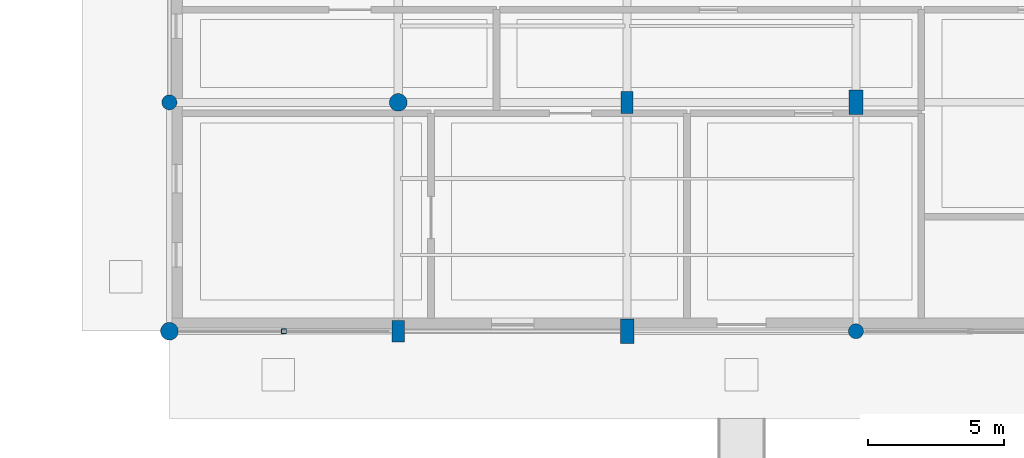
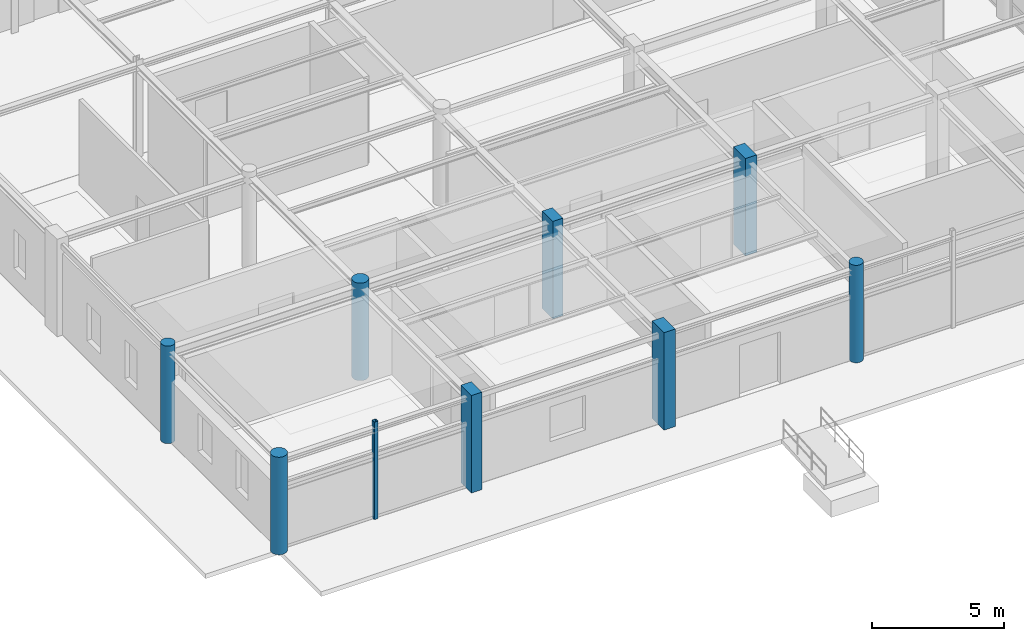
# One storey, part 2 of 101: 9 columns.
"""IFC4 building model written with IfcOpenShell, lengths in metres."""

from ifc_helpers import new_model, si_unit, derived_unit, direction, frame, origin, origin_2d, place, context, subcontext, project, spatial, rectangle, hollow_rectangle, circle, extrude, material, material_profile, profile_set, type_object, element, save


model = new_model("IFC4")

# Units and contexts
model_context = context("Model", 3, precision=1e-05, world=origin(), true_north=direction((0.0, 1.0)))
body_context = subcontext(model_context, "Body", "Model", "MODEL_VIEW")
ifc_project = project(units=[si_unit("LENGTHUNIT", "METRE"), si_unit("AREAUNIT", "SQUARE_METRE"), si_unit("VOLUMEUNIT", "CUBIC_METRE"), si_unit("PLANEANGLEUNIT", "RADIAN"), si_unit("MASSUNIT", "GRAM", prefix="KILO"), derived_unit("THERMALTRANSMITTANCEUNIT", [(si_unit("POWERUNIT", "WATT"), 1), (si_unit("AREAUNIT", "SQUARE_METRE"), -1), (si_unit("THERMODYNAMICTEMPERATUREUNIT", "KELVIN"), -1)])], contexts=[model_context])

# Site, building, storey
site_placement = place(None, origin())
site = spatial("IfcSite", under=ifc_project, at=site_placement, CompositionType="ELEMENT")
building_placement = place(site_placement, origin())
building = spatial("IfcBuilding", under=site, at=building_placement, Name="Yasenodar Specialist Clinic", CompositionType="ELEMENT")
storey_placement = place(building_placement, origin())
storey = spatial("IfcBuildingStorey", under=building, at=storey_placement, Name="L00", CompositionType="ELEMENT", Elevation=0.0)

# Columns
ifc_material_1 = material(Name="Concrete C35/45", Category="concrete")
ifc_material_profile_1 = material_profile(ifc_material_1, rectangle(XDim=0.449951171875, YDim=0.800048828125, at=origin_2d()), Name="RC 450x800")
ifc_profile_set_1 = profile_set([ifc_material_profile_1], Name="Concrete C35/45")
column_type_1 = type_object("IfcColumnType", Name="COL-RC-450x800", PredefinedType="COLUMN", material=ifc_profile_set_1)
for number, where, z_axis, x_axis, name in (
    (1, (8.39990234375, 0.0, 0.0), (0.0, 0.0, 1.0), (1.0, 0.0, 0.0), "L00 Column V2-016"),
    (2, (16.800048828125, 8.39990234375, 0.0), (0.0, 0.0, 1.0), (1.0, 0.0, 0.0), "L00 Column V2-032"),
):
    element("IfcColumn", number, at=place(storey_placement, frame(where, z_axis=z_axis, x_axis=x_axis)), inside=storey, type_object=column_type_1, Name=name, PredefinedType="COLUMN", context=body_context, shape_type="SweptSolid", body=[
        extrude(rectangle(XDim=0.449951171875, YDim=0.800048828125, at=origin_2d()), origin(), (0.0, 0.0, 1.0), 4.5),
    ])
ifc_material_profile_2 = material_profile(ifc_material_1, rectangle(XDim=0.5, YDim=0.89990234375, at=origin_2d()), Name="RC 500x900")
ifc_profile_set_2 = profile_set([ifc_material_profile_2], Name="Concrete C35/45")
column_type_2 = type_object("IfcColumnType", Name="COL-RC-500x900", PredefinedType="COLUMN", material=ifc_profile_set_2)
for number, where, z_axis, x_axis, name in (
    (3, (16.800048828125, 0.0, 0.0), (0.0, 0.0, 1.0), (1.0, 0.0, 0.0), "L00 Column V2-031"),
    (4, (25.199951171875, 8.39990234375, 0.0), (0.0, 0.0, 1.0), (1.0, 0.0, 0.0), "L00 Column V2-047"),
):
    element("IfcColumn", number, at=place(storey_placement, frame(where, z_axis=z_axis, x_axis=x_axis)), inside=storey, type_object=column_type_2, Name=name, PredefinedType="COLUMN", context=body_context, shape_type="SweptSolid", body=[
        extrude(rectangle(XDim=0.5, YDim=0.89990234375, at=origin_2d()), origin(), (0.0, 0.0, 1.0), 4.5),
    ])
ifc_material_profile_3 = material_profile(ifc_material_1, circle(Radius=0.27490234375, at=origin_2d()), Name="RC D550")
ifc_profile_set_3 = profile_set([ifc_material_profile_3], Name="Concrete C35/45")
column_type_3 = type_object("IfcColumnType", Name="COL-RC-D550", PredefinedType="COLUMN", material=ifc_profile_set_3)
for number, where, z_axis, x_axis, name in (
    (5, (0.0, 8.39990234375, 0.0), (0.0, 0.0, 1.0), (1.0, 0.0, 0.0), "L00 Column V2-002"),
    (6, (25.199951171875, 0.0, 0.0), (0.0, 0.0, 1.0), (1.0, 0.0, 0.0), "L00 Column V2-046"),
):
    element("IfcColumn", number, at=place(storey_placement, frame(where, z_axis=z_axis, x_axis=x_axis)), inside=storey, type_object=column_type_3, Name=name, PredefinedType="COLUMN", context=body_context, shape_type="SweptSolid", body=[
        extrude(circle(Radius=0.27490234375, at=origin_2d()), origin(), (0.0, 0.0, 1.0), 4.5),
    ])
ifc_material_profile_4 = material_profile(ifc_material_1, circle(Radius=0.324951171875, at=origin_2d()), Name="RC D650")
ifc_profile_set_4 = profile_set([ifc_material_profile_4], Name="Concrete C35/45")
column_type_4 = type_object("IfcColumnType", Name="COL-RC-D650", PredefinedType="COLUMN", material=ifc_profile_set_4)
for number, where, z_axis, x_axis, name in (
    (7, (0.0, 0.0, 0.0), (0.0, 0.0, 1.0), (1.0, 0.0, 0.0), "L00 Column V2-001"),
    (8, (8.39990234375, 8.39990234375, 0.0), (0.0, 0.0, 1.0), (1.0, 0.0, 0.0), "L00 Column V2-017"),
):
    element("IfcColumn", number, at=place(storey_placement, frame(where, z_axis=z_axis, x_axis=x_axis)), inside=storey, type_object=column_type_4, Name=name, PredefinedType="COLUMN", context=body_context, shape_type="SweptSolid", body=[
        extrude(circle(Radius=0.324951171875, at=origin_2d()), origin(), (0.0, 0.0, 1.0), 4.5),
    ])
ifc_material_2 = material(Name="Steel S355", Category="steel")
ifc_material_profile_5 = material_profile(ifc_material_2, hollow_rectangle(XDim=0.179931640625, YDim=0.179931640625, WallThickness=0.010009765625, InnerFilletRadius=0.014892578125, OuterFilletRadius=0.02490234375, at=origin_2d()), Name="SHS 180x180x10")
ifc_profile_set_5 = profile_set([ifc_material_profile_5], Name="Steel S355")
column_type_5 = type_object("IfcColumnType", Name="PIL-ST-SHS180", PredefinedType="PILASTER", material=ifc_profile_set_5)
column_placement = place(storey_placement, frame((4.199951171875, 0.0, 0.0), z_axis=(0.0, 0.0, 1.0), x_axis=(1.0, 0.0, 0.0)))
element("IfcColumn", 9, at=column_placement, inside=storey, type_object=column_type_5, Name="L00 Arcade Pilaster 07", PredefinedType="PILASTER", context=body_context, shape_type="SweptSolid", body=[
    extrude(hollow_rectangle(XDim=0.179931640625, YDim=0.179931640625, WallThickness=0.010009765625, InnerFilletRadius=0.014892578125, OuterFilletRadius=0.02490234375, at=origin_2d()), origin(), (0.0, 0.0, 1.0), 4.5),
])

save(model, "model.ifc")
